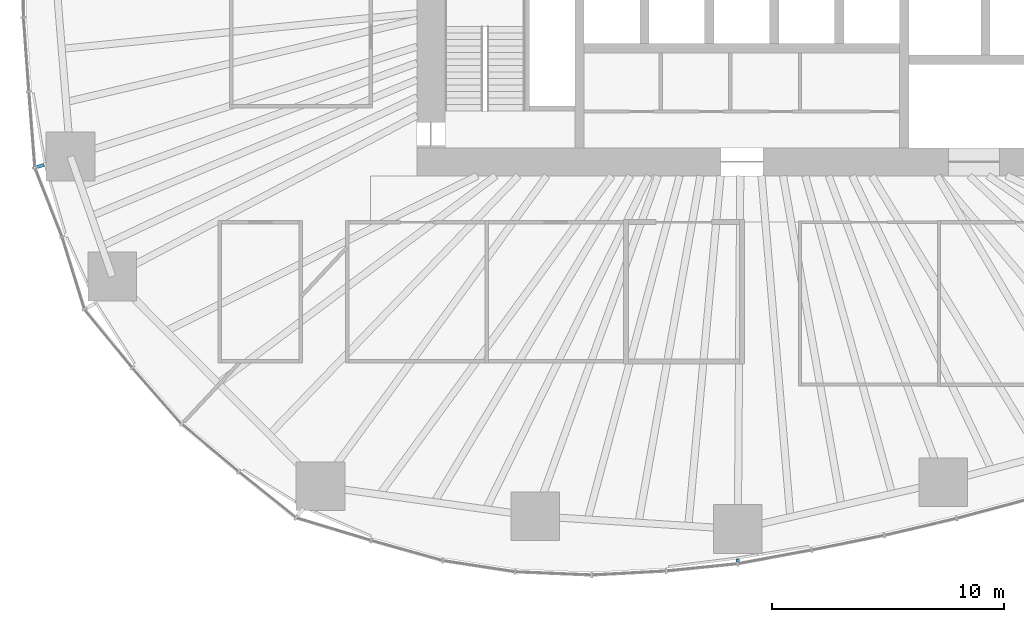
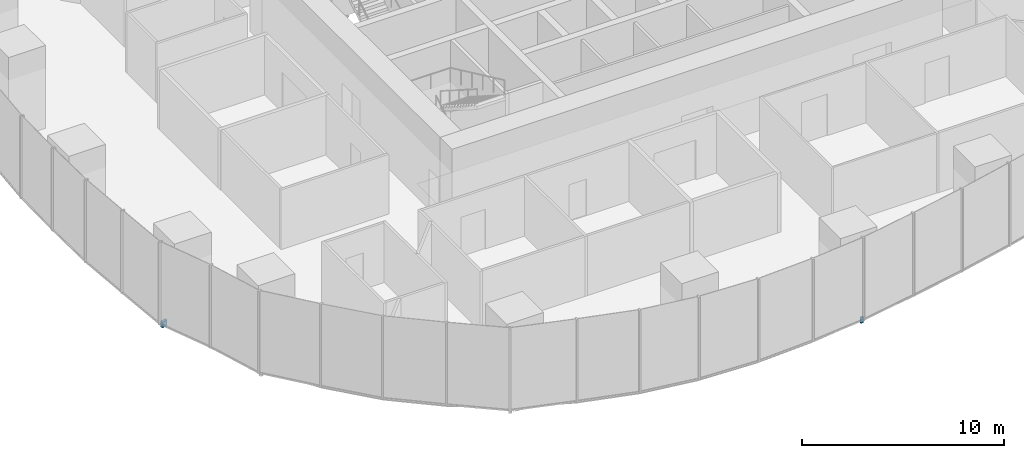
# One storey, part 13 of 20: 2 discrete accessories.
"""IFC4 building model written with IfcOpenShell, lengths in metres."""

from ifc_helpers import new_model, si_unit, direction, frame, origin, origin_2d, place, context, subcontext, project, spatial, rectangle, extrude, material, type_object, element, save


model = new_model("IFC4")

# Units and contexts
model_context = context("Model", 3, precision=1e-05, world=origin(), true_north=direction((0.0, 1.0)))
body_context = subcontext(model_context, "Body", "Model", "MODEL_VIEW")
ifc_project = project(units=[si_unit("LENGTHUNIT", "METRE"), si_unit("AREAUNIT", "SQUARE_METRE"), si_unit("VOLUMEUNIT", "CUBIC_METRE"), si_unit("PLANEANGLEUNIT", "RADIAN"), si_unit("MASSUNIT", "GRAM", prefix="KILO")], contexts=[model_context])

# Site, building, storey
site_placement = place(None, origin())
site = spatial("IfcSite", under=ifc_project, at=site_placement, CompositionType="ELEMENT")
building_placement = place(site_placement, origin())
building = spatial("IfcBuilding", under=site, at=building_placement, Name="Ghaith Harvest Tower", CompositionType="ELEMENT")
storey_placement = place(building_placement, frame((0.0, 0.0, 30.0)))
storey = spatial("IfcBuildingStorey", under=building, at=storey_placement, Name="L06", CompositionType="ELEMENT", Elevation=30.0)

# Discrete accessories
ifc_material_1 = material(Name="Stainless steel grade 1.4401", Category="steel")
discrete_accessory_type_1 = type_object("IfcDiscreteAccessoryType", Name="CURTAIN WALL BRACKET 315", PredefinedType="BRACKET", material=ifc_material_1)
discrete_accessory_1_placement = place(storey_placement, frame((-30.219482421875, -9.5771484375, -0.25), z_axis=(0.0, 0.0, 1.0), x_axis=(-0.953273219416, -0.302109531701, 0.0)))
element("IfcDiscreteAccessory", 1, at=discrete_accessory_1_placement, inside=storey, type_object=discrete_accessory_type_1, Name="CW-F bracket 1 bay 12 L06", PredefinedType="BRACKET", context=body_context, shape_type="SweptSolid", body=[
    extrude(rectangle(XDim=0.31494140625, YDim=0.14990234375, at=origin_2d()), origin(), (0.0, 0.0, 1.0), 0.35009765625),
])
ifc_material_2 = material(Name="Stainless steel grade 1.4401", Category="steel")
discrete_accessory_type_2 = type_object("IfcDiscreteAccessoryType", Name="CURTAIN WALL BRACKET 95", PredefinedType="BRACKET", material=ifc_material_2)
discrete_accessory_2_placement = place(storey_placement, frame((-0.181884765625, -26.569580078125, -0.25), z_axis=(0.0, 0.0, 1.0), x_axis=(-0.006843747957, -0.999976581283, 0.0)))
element("IfcDiscreteAccessory", 2, at=discrete_accessory_2_placement, inside=storey, type_object=discrete_accessory_type_2, Name="CW-F bracket 1 bay 16 L06", PredefinedType="BRACKET", context=body_context, shape_type="SweptSolid", body=[
    extrude(rectangle(XDim=0.094970703125, YDim=0.14990234375, at=origin_2d()), origin(), (0.0, 0.0, 1.0), 0.35009765625),
])

save(model, "model.ifc")
